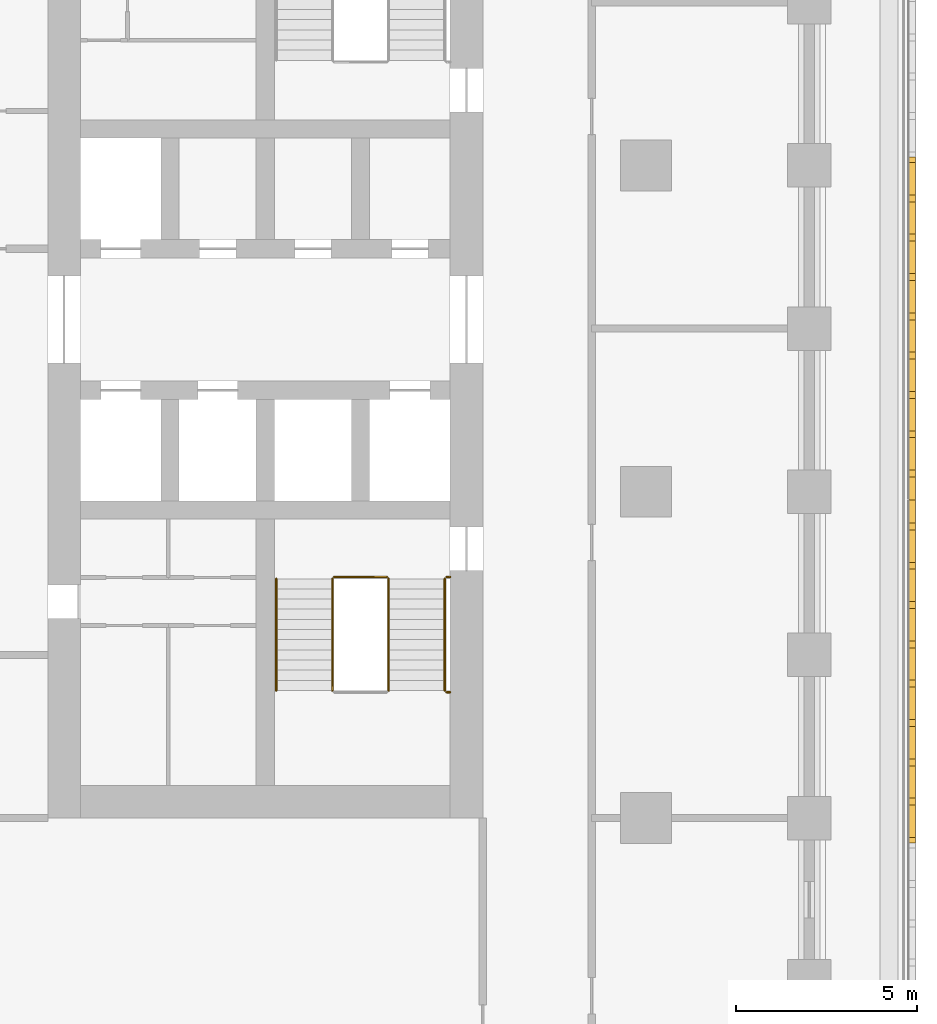
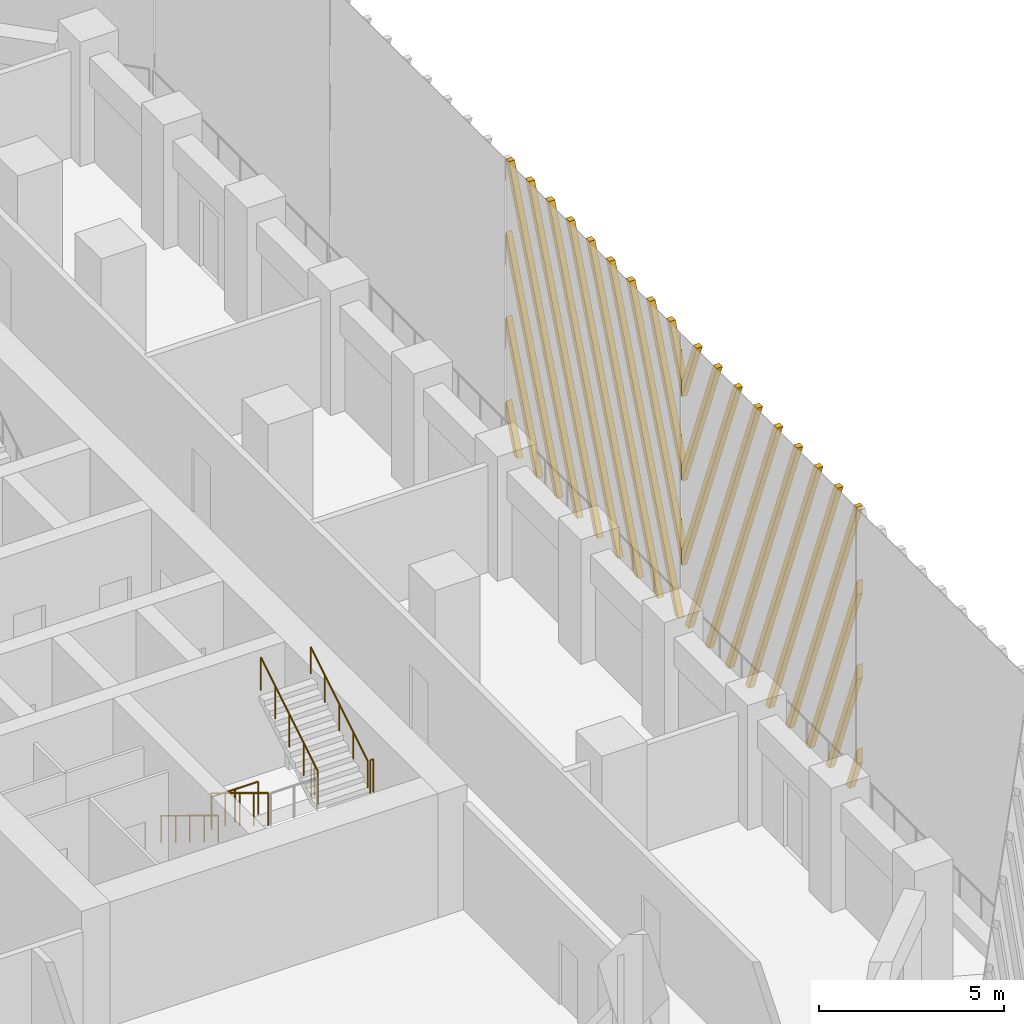
# One storey, part 11 of 17: 7 railings, 2 shading devices.
"""IFC4 building model written with IfcOpenShell, lengths in metres."""

from ifc_helpers import new_model, si_unit, direction, frame, origin, origin_2d, place, context, subcontext, project, spatial, polyline, circle, outline, extrude, source, transform, mapped, material, type_object, element, save


model = new_model("IFC4")

# Units and contexts
model_context = context("Model", 3, precision=1e-05, world=origin(), true_north=direction((0.0, 1.0)))
body_context = subcontext(model_context, "Body", "Model", "MODEL_VIEW")
ifc_project = project(units=[si_unit("LENGTHUNIT", "METRE"), si_unit("AREAUNIT", "SQUARE_METRE"), si_unit("VOLUMEUNIT", "CUBIC_METRE"), si_unit("PLANEANGLEUNIT", "RADIAN"), si_unit("MASSUNIT", "GRAM", prefix="KILO")], contexts=[model_context])

# Site, building, storey
site_placement = place(None, origin())
site = spatial("IfcSite", under=ifc_project, at=site_placement, CompositionType="ELEMENT")
building_placement = place(site_placement, origin())
building = spatial("IfcBuilding", under=site, at=building_placement, Name="Corbel Stack Research Tower", CompositionType="ELEMENT")
storey_placement = place(building_placement, frame((0.0, 0.0, 141.300048828125)))
storey = spatial("IfcBuildingStorey", under=building, at=storey_placement, Name="L32", CompositionType="ELEMENT", Elevation=141.300048828125)

# Railings
ifc_material_1 = material(Name="Steel S355", Category="steel")
railing_type_1 = type_object("IfcRailingType", Name="Stair guard 1100", PredefinedType="GUARDRAIL", material=ifc_material_1)
railing_1_placement = place(storey_placement, frame((13.85009765625, -2.39990234375, 0.1708984375)))
element("IfcRailing", 1, at=railing_1_placement, inside=storey, type_object=railing_type_1, Name="L32 ST-E1 stair guard 1", PredefinedType="GUARDRAIL", context=body_context, shape_type="SweptSolid", body=[
    extrude(circle(Radius=0.02392578125, at=origin_2d()), frame((0.0, 0.0, 1.076171875), z_axis=(0.0, -0.853666305674, 0.52082035152), x_axis=(1.0, 0.0, 0.0)), (0.0, 0.0, 1.0), 3.608154296875),
    extrude(circle(Radius=0.02099609375, at=origin_2d()), origin(), (0.0, 0.0, 1.0), 1.052001953125),
    extrude(circle(Radius=0.02099609375, at=origin_2d()), frame((0.0, -0.77001953125, 0.4697265625)), (0.0, 0.0, 1.0), 1.052001953125),
    extrude(circle(Radius=0.02099609375, at=origin_2d()), frame((0.0, -1.5400390625, 0.939453125)), (0.0, 0.0, 1.0), 1.052001953125),
    extrude(circle(Radius=0.02099609375, at=origin_2d()), frame((0.0, -2.31005859375, 1.409423828125)), (0.0, 0.0, 1.0), 1.052001953125),
    extrude(circle(Radius=0.02099609375, at=origin_2d()), frame((0.0, -3.080078125, 1.879150390625)), (0.0, 0.0, 1.0), 1.052001953125),
])
railing_2_placement = place(storey_placement, frame((17.0, -5.530029296875, 2.050048828125)))
element("IfcRailing", 2, at=railing_2_placement, inside=storey, type_object=railing_type_1, Name="L32 ST-E1 stair guard 3", PredefinedType="GUARDRAIL", context=body_context, shape_type="SweptSolid", body=[
    extrude(circle(Radius=0.02392578125, at=origin_2d()), frame((0.0, 0.0, 1.076171875), z_axis=(1.0, 0.0, 0.0), x_axis=(0.0, 1.0, 0.0)), (0.0, 0.0, 1.0), 0.10009765625),
    extrude(circle(Radius=0.02099609375, at=origin_2d()), origin(), (0.0, 0.0, 1.0), 1.052001953125),
    extrude(circle(Radius=0.02099609375, at=origin_2d()), frame((0.10009765625, 0.0, 0.0)), (0.0, 0.0, 1.0), 1.052001953125),
])
railing_3_placement = place(storey_placement, frame((15.39990234375, -5.47998046875, 2.220703125)))
element("IfcRailing", 3, at=railing_3_placement, inside=storey, type_object=railing_type_1, Name="L32 ST-E1 stair guard 4", PredefinedType="GUARDRAIL", context=body_context, shape_type="SweptSolid", body=[
    extrude(circle(Radius=0.02392578125, at=origin_2d()), frame((0.0, 0.0, 1.076171875), z_axis=(0.0, 0.853666305674, 0.52082035152), x_axis=(-1.0, 0.0, 0.0)), (0.0, 0.0, 1.0), 3.608154296875),
    extrude(circle(Radius=0.02099609375, at=origin_2d()), origin(), (0.0, 0.0, 1.0), 1.052001953125),
    extrude(circle(Radius=0.02099609375, at=origin_2d()), frame((0.0, 0.77001953125, 0.4697265625)), (0.0, 0.0, 1.0), 1.052001953125),
    extrude(circle(Radius=0.02099609375, at=origin_2d()), frame((0.0, 1.5400390625, 0.939453125)), (0.0, 0.0, 1.0), 1.052001953125),
    extrude(circle(Radius=0.02099609375, at=origin_2d()), frame((0.0, 2.31005859375, 1.409423828125)), (0.0, 0.0, 1.0), 1.052001953125),
    extrude(circle(Radius=0.02099609375, at=origin_2d()), frame((0.0, 3.080078125, 1.879150390625)), (0.0, 0.0, 1.0), 1.052001953125),
])
railing_4_placement = place(storey_placement, frame((13.89990234375, -2.35009765625, 0.0)))
element("IfcRailing", 4, at=railing_4_placement, inside=storey, type_object=railing_type_1, Name="L32 ST-E1 stair guard 5", PredefinedType="GUARDRAIL", context=body_context, shape_type="SweptSolid", body=[
    extrude(circle(Radius=0.02392578125, at=origin_2d()), frame((0.0, 0.0, 1.076171875), z_axis=(1.0, 0.0, 0.0), x_axis=(0.0, 1.0, 0.0)), (0.0, 0.0, 1.0), 1.4501953125),
    extrude(circle(Radius=0.02099609375, at=origin_2d()), origin(), (0.0, 0.0, 1.0), 1.052001953125),
    extrude(circle(Radius=0.02099609375, at=origin_2d()), frame((0.72509765625, 0.0, 0.0)), (0.0, 0.0, 1.0), 1.052001953125),
    extrude(circle(Radius=0.02099609375, at=origin_2d()), frame((1.4501953125, 0.0, 0.0)), (0.0, 0.0, 1.0), 1.052001953125),
])
railing_5_placement = place(storey_placement, frame((17.0, -2.35009765625, 0.0)))
element("IfcRailing", 5, at=railing_5_placement, inside=storey, type_object=railing_type_1, Name="L32 ST-E1 stair guard 6", PredefinedType="GUARDRAIL", context=body_context, shape_type="SweptSolid", body=[
    extrude(circle(Radius=0.02392578125, at=origin_2d()), frame((0.0, 0.0, 1.076171875), z_axis=(1.0, 0.0, 0.0), x_axis=(0.0, 1.0, 0.0)), (0.0, 0.0, 1.0), 0.10009765625),
    extrude(circle(Radius=0.02099609375, at=origin_2d()), origin(), (0.0, 0.0, 1.0), 1.052001953125),
    extrude(circle(Radius=0.02099609375, at=origin_2d()), frame((0.10009765625, 0.0, 0.0)), (0.0, 0.0, 1.0), 1.052001953125),
])
ifc_material_2 = material(Name="Steel S355", Category="steel")
railing_type_2 = type_object("IfcRailingType", Name="Stair handrail 900", PredefinedType="HANDRAIL", material=ifc_material_2)
railing_6_placement = place(storey_placement, frame((12.300048828125, -2.39990234375, 0.1708984375)))
element("IfcRailing", 6, at=railing_6_placement, inside=storey, type_object=railing_type_2, Name="L32 ST-E1 stair handrail 1", PredefinedType="HANDRAIL", context=body_context, shape_type="SweptSolid", body=[
    extrude(circle(Radius=0.02392578125, at=origin_2d()), frame((0.0, 0.0, 0.8759765625), z_axis=(0.0, -0.853666305674, 0.52082035152), x_axis=(1.0, 0.0, 0.0)), (0.0, 0.0, 1.0), 3.608154296875),
    extrude(circle(Radius=0.02099609375, at=origin_2d()), origin(), (0.0, 0.0, 1.0), 0.851806640625),
    extrude(circle(Radius=0.02099609375, at=origin_2d()), frame((0.0, -0.77001953125, 0.4697265625)), (0.0, 0.0, 1.0), 0.851806640625),
    extrude(circle(Radius=0.02099609375, at=origin_2d()), frame((0.0, -1.5400390625, 0.939453125)), (0.0, 0.0, 1.0), 0.851806640625),
    extrude(circle(Radius=0.02099609375, at=origin_2d()), frame((0.0, -2.31005859375, 1.409423828125)), (0.0, 0.0, 1.0), 0.851806640625),
    extrude(circle(Radius=0.02099609375, at=origin_2d()), frame((0.0, -3.080078125, 1.879150390625)), (0.0, 0.0, 1.0), 0.851806640625),
])
railing_7_placement = place(storey_placement, frame((16.949951171875, -5.47998046875, 2.220703125)))
element("IfcRailing", 7, at=railing_7_placement, inside=storey, type_object=railing_type_2, Name="L32 ST-E1 stair handrail 2", PredefinedType="HANDRAIL", context=body_context, shape_type="SweptSolid", body=[
    extrude(circle(Radius=0.02392578125, at=origin_2d()), frame((0.0, 0.0, 0.8759765625), z_axis=(0.0, 0.853666305674, 0.52082035152), x_axis=(-1.0, 0.0, 0.0)), (0.0, 0.0, 1.0), 3.608154296875),
    extrude(circle(Radius=0.02099609375, at=origin_2d()), origin(), (0.0, 0.0, 1.0), 0.851806640625),
    extrude(circle(Radius=0.02099609375, at=origin_2d()), frame((0.0, 0.77001953125, 0.4697265625)), (0.0, 0.0, 1.0), 0.851806640625),
    extrude(circle(Radius=0.02099609375, at=origin_2d()), frame((0.0, 1.5400390625, 0.939453125)), (0.0, 0.0, 1.0), 0.851806640625),
    extrude(circle(Radius=0.02099609375, at=origin_2d()), frame((0.0, 2.31005859375, 1.409423828125)), (0.0, 0.0, 1.0), 0.851806640625),
    extrude(circle(Radius=0.02099609375, at=origin_2d()), frame((0.0, 3.080078125, 1.879150390625)), (0.0, 0.0, 1.0), 0.851806640625),
])

# Shading devices
ifc_material_3 = material(Name="Precast terracotta", Category="masonry")
shading_device_type = type_object("IfcShadingDeviceType", Name="Terracotta screen panel", PredefinedType="USERDEFINED", material=ifc_material_3)
shared_shape_1 = source(origin(), body_context, "Body", "SweptSolid", [
    extrude(outline(polyline([(0.822509765625, 9.5), (0.63232421875, 9.5), (0.0, 7.880859375), (0.0, 7.394287109375), (0.822509765625, 9.5)])), frame((0.0, 0.0, 0.0), z_axis=(0.0, -1.0, 0.0), x_axis=(1.0, 0.0, 0.0)), (0.0, 0.0, 1.0), 0.179931640625),
    extrude(outline(polyline([(1.906982421875, 9.5), (1.717041015625, 9.5), (0.0, 5.103515625), (0.0, 4.616943359375), (1.906982421875, 9.5)])), frame((0.0, 0.0, 0.0), z_axis=(0.0, -1.0, 0.0), x_axis=(1.0, 0.0, 0.0)), (0.0, 0.0, 1.0), 0.179931640625),
    extrude(outline(polyline([(2.99169921875, 9.5), (2.8017578125, 9.5), (0.0, 2.326171875), (0.0, 1.839599609375), (2.99169921875, 9.5)])), frame((0.0, 0.0, 0.0), z_axis=(0.0, -1.0, 0.0), x_axis=(1.0, 0.0, 0.0)), (0.0, 0.0, 1.0), 0.179931640625),
    extrude(outline(polyline([(0.3662109375, 0.0), (4.076416015625, 9.5), (3.886474609375, 9.5), (0.17626953125, 0.0), (0.3662109375, 0.0)])), frame((0.0, 0.0, 0.0), z_axis=(0.0, -1.0, 0.0), x_axis=(1.0, 0.0, 0.0)), (0.0, 0.0, 1.0), 0.179931640625),
    extrude(outline(polyline([(1.45068359375, 0.0), (5.160888671875, 9.5), (4.970947265625, 9.5), (1.2607421875, 0.0), (1.45068359375, 0.0)])), frame((0.0, 0.0, 0.0), z_axis=(0.0, -1.0, 0.0), x_axis=(1.0, 0.0, 0.0)), (0.0, 0.0, 1.0), 0.179931640625),
    extrude(outline(polyline([(2.535400390625, 0.0), (6.24560546875, 9.5), (6.0556640625, 9.5), (2.345458984375, 0.0), (2.535400390625, 0.0)])), frame((0.0, 0.0, 0.0), z_axis=(0.0, -1.0, 0.0), x_axis=(1.0, 0.0, 0.0)), (0.0, 0.0, 1.0), 0.179931640625),
    extrude(outline(polyline([(3.6201171875, 0.0), (7.330322265625, 9.5), (7.140380859375, 9.5), (3.43017578125, 0.0), (3.6201171875, 0.0)])), frame((0.0, 0.0, 0.0), z_axis=(0.0, -1.0, 0.0), x_axis=(1.0, 0.0, 0.0)), (0.0, 0.0, 1.0), 0.179931640625),
    extrude(outline(polyline([(4.704833984375, 0.0), (8.4150390625, 9.5), (8.22509765625, 9.5), (4.514892578125, 0.0), (4.704833984375, 0.0)])), frame((0.0, 0.0, 0.0), z_axis=(0.0, -1.0, 0.0), x_axis=(1.0, 0.0, 0.0)), (0.0, 0.0, 1.0), 0.179931640625),
    extrude(outline(polyline([(5.78955078125, 0.0), (9.45556640625, 9.38720703125), (9.45556640625, 9.5), (9.309814453125, 9.5), (5.599609375, 0.0), (5.78955078125, 0.0)])), frame((0.0, 0.0, 0.0), z_axis=(0.0, -1.0, 0.0), x_axis=(1.0, 0.0, 0.0)), (0.0, 0.0, 1.0), 0.179931640625),
    extrude(outline(polyline([(6.874267578125, 0.0), (9.45556640625, 6.60986328125), (9.45556640625, 7.096435546875), (6.68408203125, 0.0), (6.874267578125, 0.0)])), frame((0.0, 0.0, 0.0), z_axis=(0.0, -1.0, 0.0), x_axis=(1.0, 0.0, 0.0)), (0.0, 0.0, 1.0), 0.179931640625),
    extrude(outline(polyline([(7.958740234375, 0.0), (9.45556640625, 3.83251953125), (9.45556640625, 4.319091796875), (7.768798828125, 0.0), (7.958740234375, 0.0)])), frame((0.0, 0.0, 0.0), z_axis=(0.0, -1.0, 0.0), x_axis=(1.0, 0.0, 0.0)), (0.0, 0.0, 1.0), 0.179931640625),
    extrude(outline(polyline([(9.04345703125, 0.0), (9.45556640625, 1.055419921875), (9.45556640625, 1.541748046875), (8.853515625, 0.0), (9.04345703125, 0.0)])), frame((0.0, 0.0, 0.0), z_axis=(0.0, -1.0, 0.0), x_axis=(1.0, 0.0, 0.0)), (0.0, 0.0, 1.0), 0.179931640625),
])
shading_device_1_placement = place(storey_placement, frame((29.75, -0.227783203125, 0.0), z_axis=(0.0, 0.0, 1.0), x_axis=(0.0, 1.0, 0.0)))
element("IfcShadingDevice", 8, at=shading_device_1_placement, inside=storey, type_object=shading_device_type, Name="Terracotta screen L32 E3", ObjectType="SCREEN", PredefinedType="USERDEFINED", context=body_context, shape_type="MappedRepresentation", body=[
    mapped(shared_shape_1, transform((0.0, 0.0, 0.0))),
])
shared_shape_2 = source(origin(), body_context, "Body", "SweptSolid", [
    extrude(outline(polyline([(0.60205078125, 0.0), (0.0, 1.541748046875), (0.0, 1.055419921875), (0.412109375, 0.0), (0.60205078125, 0.0)])), frame((0.0, 0.0, 0.0), z_axis=(0.0, -1.0, 0.0), x_axis=(1.0, 0.0, 0.0)), (0.0, 0.0, 1.0), 0.179931640625),
    extrude(outline(polyline([(1.686767578125, 0.0), (0.0, 4.319091796875), (0.0, 3.83251953125), (1.496826171875, 0.0), (1.686767578125, 0.0)])), frame((0.0, 0.0, 0.0), z_axis=(0.0, -1.0, 0.0), x_axis=(1.0, 0.0, 0.0)), (0.0, 0.0, 1.0), 0.179931640625),
    extrude(outline(polyline([(2.771484375, 0.0), (0.0, 7.096435546875), (0.0, 6.60986328125), (2.58154296875, 0.0), (2.771484375, 0.0)])), frame((0.0, 0.0, 0.0), z_axis=(0.0, -1.0, 0.0), x_axis=(1.0, 0.0, 0.0)), (0.0, 0.0, 1.0), 0.179931640625),
    extrude(outline(polyline([(3.856201171875, 0.0), (0.14599609375, 9.5), (0.0, 9.5), (0.0, 9.38720703125), (3.666015625, 0.0), (3.856201171875, 0.0)])), frame((0.0, 0.0, 0.0), z_axis=(0.0, -1.0, 0.0), x_axis=(1.0, 0.0, 0.0)), (0.0, 0.0, 1.0), 0.179931640625),
    extrude(outline(polyline([(4.94091796875, 0.0), (1.230712890625, 9.5), (1.04052734375, 9.5), (4.750732421875, 0.0), (4.94091796875, 0.0)])), frame((0.0, 0.0, 0.0), z_axis=(0.0, -1.0, 0.0), x_axis=(1.0, 0.0, 0.0)), (0.0, 0.0, 1.0), 0.179931640625),
    extrude(outline(polyline([(6.025390625, 0.0), (2.315185546875, 9.5), (2.125244140625, 9.5), (5.83544921875, 0.0), (6.025390625, 0.0)])), frame((0.0, 0.0, 0.0), z_axis=(0.0, -1.0, 0.0), x_axis=(1.0, 0.0, 0.0)), (0.0, 0.0, 1.0), 0.179931640625),
    extrude(outline(polyline([(7.110107421875, 0.0), (3.39990234375, 9.5), (3.2099609375, 9.5), (6.920166015625, 0.0), (7.110107421875, 0.0)])), frame((0.0, 0.0, 0.0), z_axis=(0.0, -1.0, 0.0), x_axis=(1.0, 0.0, 0.0)), (0.0, 0.0, 1.0), 0.179931640625),
    extrude(outline(polyline([(8.19482421875, 0.0), (4.484619140625, 9.5), (4.294677734375, 9.5), (8.0048828125, 0.0), (8.19482421875, 0.0)])), frame((0.0, 0.0, 0.0), z_axis=(0.0, -1.0, 0.0), x_axis=(1.0, 0.0, 0.0)), (0.0, 0.0, 1.0), 0.179931640625),
    extrude(outline(polyline([(9.279541015625, 0.0), (5.5693359375, 9.5), (5.37939453125, 9.5), (9.089599609375, 0.0), (9.279541015625, 0.0)])), frame((0.0, 0.0, 0.0), z_axis=(0.0, -1.0, 0.0), x_axis=(1.0, 0.0, 0.0)), (0.0, 0.0, 1.0), 0.179931640625),
    extrude(outline(polyline([(6.65380859375, 9.5), (6.4638671875, 9.5), (9.45556640625, 1.839599609375), (9.45556640625, 2.326171875), (6.65380859375, 9.5)])), frame((0.0, 0.0, 0.0), z_axis=(0.0, -1.0, 0.0), x_axis=(1.0, 0.0, 0.0)), (0.0, 0.0, 1.0), 0.179931640625),
    extrude(outline(polyline([(7.738525390625, 9.5), (7.548583984375, 9.5), (9.45556640625, 4.616943359375), (9.45556640625, 5.103515625), (7.738525390625, 9.5)])), frame((0.0, 0.0, 0.0), z_axis=(0.0, -1.0, 0.0), x_axis=(1.0, 0.0, 0.0)), (0.0, 0.0, 1.0), 0.179931640625),
    extrude(outline(polyline([(8.8232421875, 9.5), (8.63330078125, 9.5), (9.45556640625, 7.394287109375), (9.45556640625, 7.880859375), (8.8232421875, 9.5)])), frame((0.0, 0.0, 0.0), z_axis=(0.0, -1.0, 0.0), x_axis=(1.0, 0.0, 0.0)), (0.0, 0.0, 1.0), 0.179931640625),
])
shading_device_2_placement = place(storey_placement, frame((29.75, -9.68359375, 0.0), z_axis=(0.0, 0.0, 1.0), x_axis=(0.0, 1.0, 0.0)))
element("IfcShadingDevice", 9, at=shading_device_2_placement, inside=storey, type_object=shading_device_type, Name="Terracotta screen L32 E2", ObjectType="SCREEN", PredefinedType="USERDEFINED", context=body_context, shape_type="MappedRepresentation", body=[
    mapped(shared_shape_2, transform((0.0, 0.0, 0.0))),
])

save(model, "model.ifc")
